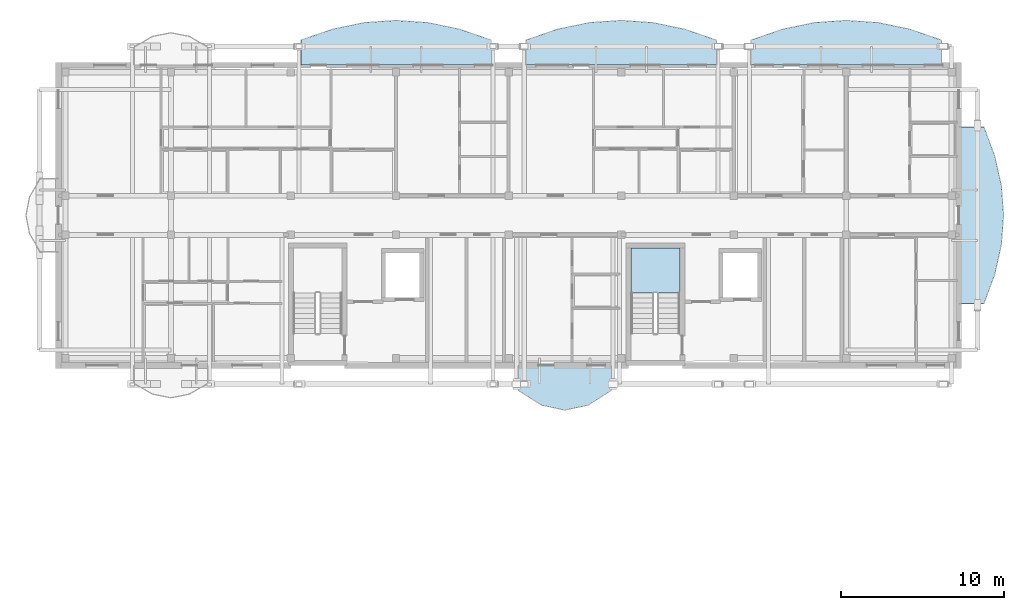
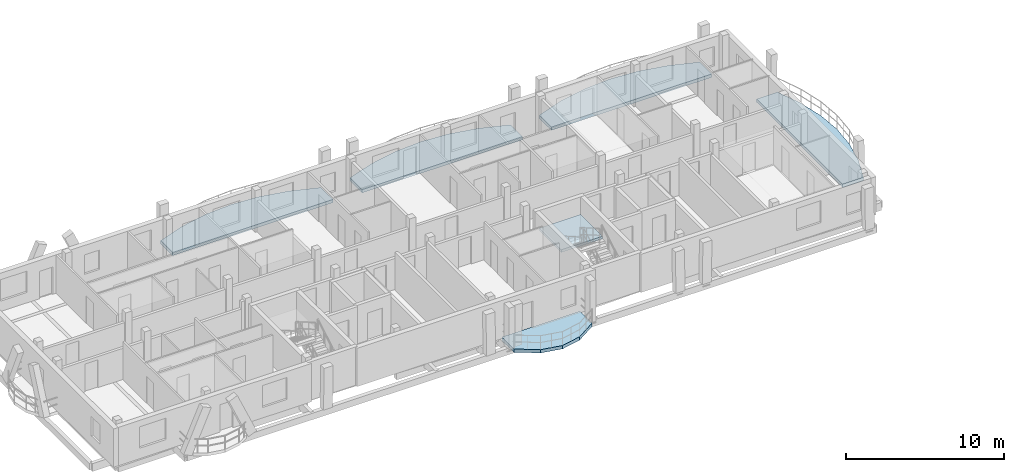
# One storey, part 9 of 48: 6 slabs, 1 element without a shape of its own.
"""IFC4 building model written with IfcOpenShell, lengths in metres."""

from ifc_helpers import new_model, si_unit, direction, frame, origin, place, context, subcontext, project, spatial, polyline, outline, extrude, material, layer, layer_set, type_object, element, aggregate, save


model = new_model("IFC4")

# Units and contexts
model_context = context("Model", 3, precision=1e-05, world=origin(), true_north=direction((0.0, 1.0)))
body_context = subcontext(model_context, "Body", "Model", "MODEL_VIEW")
ifc_project = project(units=[si_unit("LENGTHUNIT", "METRE"), si_unit("AREAUNIT", "SQUARE_METRE"), si_unit("VOLUMEUNIT", "CUBIC_METRE"), si_unit("PLANEANGLEUNIT", "RADIAN"), si_unit("MASSUNIT", "GRAM", prefix="KILO")], contexts=[model_context])

# Site, building, storey
site_placement = place(None, origin())
site = spatial("IfcSite", under=ifc_project, at=site_placement, CompositionType="ELEMENT")
building_placement = place(site_placement, origin())
building = spatial("IfcBuilding", under=site, at=building_placement, Name="Zavelmont Quarter", CompositionType="ELEMENT")
storey_placement = place(building_placement, frame((0.0, 0.0, 17.60009765625)))
storey = spatial("IfcBuildingStorey", under=building, at=storey_placement, Name="L05", CompositionType="ELEMENT", Elevation=17.60009765625)

# Slabs
ifc_material_1 = material(Name="White architectural precast concrete C40/50", Category="concrete")
ifc_layer_1 = layer(ifc_material_1, 0.235107421875)
ifc_layer_set_1 = layer_set([ifc_layer_1], Name="White architectural precast concrete C40/50")
slab_type_1 = type_object("IfcSlabType", Name="SL-BL180", PredefinedType="FLOOR", material=ifc_layer_set_1)
slab_1_placement = place(storey_placement, frame((0.0, 0.0, -0.235107421875)))
element("IfcSlab", 1, at=slab_1_placement, inside=storey, type_object=slab_type_1, Name="L05 Block C street vase 3 balcony SL-BL180", PredefinedType="FLOOR", context=body_context, shape_type="SweptSolid", body=[
    extrude(outline(polyline([(153.14111328125, 116.02001953125), (153.14111328125, 117.538330078125), (151.194091796875, 118.209716796875), (149.2470703125, 118.61279296875), (147.300048828125, 118.7470703125), (145.352783203125, 118.61279296875), (143.406005859375, 118.209716796875), (141.458740234375, 117.538330078125), (141.458740234375, 116.02001953125), (153.14111328125, 116.02001953125)])), origin(), (0.0, 0.0, 1.0), 0.235107421875),
])
ifc_layer_2 = layer(ifc_material_1, 0.2451171875)
ifc_layer_set_2 = layer_set([ifc_layer_2], Name="White architectural precast concrete C40/50")
slab_type_2 = type_object("IfcSlabType", Name="SL-BL200", PredefinedType="FLOOR", material=ifc_layer_set_2)
slab_2_placement = place(storey_placement, frame((0.0, 0.0, -0.2451171875)))
element("IfcSlab", 2, at=slab_2_placement, inside=storey, type_object=slab_type_2, Name="L05 Block C street vase 2 balcony SL-BL200", PredefinedType="FLOOR", context=body_context, shape_type="SweptSolid", body=[
    extrude(outline(polyline([(139.34130859375, 116.02001953125), (139.34130859375, 117.538330078125), (137.39404296875, 118.209716796875), (135.447021484375, 118.61279296875), (133.5, 118.7470703125), (131.552978515625, 118.61279296875), (129.60595703125, 118.209716796875), (127.65869140625, 117.538330078125), (127.65869140625, 116.02001953125), (139.34130859375, 116.02001953125)])), origin(), (0.0, 0.0, 1.0), 0.2451171875),
])
slab_3_placement = place(storey_placement, frame((0.0, 0.0, -0.2451171875)))
element("IfcSlab", 3, at=slab_3_placement, inside=storey, type_object=slab_type_2, Name="L05 Block C boulevard vase balcony SL-BL200", PredefinedType="FLOOR", context=body_context, shape_type="SweptSolid", body=[
    extrude(outline(polyline([(168.02001953125, 101.376708984375), (169.538330078125, 101.376708984375), (170.209716796875, 103.1845703125), (170.61279296875, 104.9921875), (170.7470703125, 106.800048828125), (170.61279296875, 108.60791015625), (170.209716796875, 110.41552734375), (169.538330078125, 112.223388671875), (168.02001953125, 112.223388671875), (168.02001953125, 101.376708984375)])), origin(), (0.0, 0.0, 1.0), 0.2451171875),
])
ifc_layer_3 = layer(ifc_material_1, 0.2548828125)
ifc_layer_set_3 = layer_set([ifc_layer_3], Name="White architectural precast concrete C40/50")
slab_type_3 = type_object("IfcSlabType", Name="SL-BL220", PredefinedType="FLOOR", material=ifc_layer_set_3)
slab_4_placement = place(storey_placement, frame((0.0, 0.0, -0.255126953125)))
element("IfcSlab", 4, at=slab_4_placement, inside=storey, type_object=slab_type_3, Name="L05 Block C street vase 4 balcony SL-BL220", PredefinedType="FLOOR", context=body_context, shape_type="SweptSolid", body=[
    extrude(outline(polyline([(166.941162109375, 116.02001953125), (166.941162109375, 117.538330078125), (164.994140625, 118.209716796875), (163.047119140625, 118.61279296875), (161.10009765625, 118.7470703125), (159.15283203125, 118.61279296875), (157.205810546875, 118.209716796875), (155.2587890625, 117.538330078125), (155.2587890625, 116.02001953125), (166.941162109375, 116.02001953125)])), origin(), (0.0, 0.0, 1.0), 0.255126953125),
])
slab_5_placement = place(storey_placement, frame((0.0, 0.0, -0.255126953125)))
element("IfcSlab", 5, at=slab_5_placement, inside=storey, type_object=slab_type_3, Name="L05 Block C courtyard central vase balcony SL-BL220", PredefinedType="FLOOR", context=body_context, shape_type="SweptSolid", body=[
    extrude(outline(polyline([(141.0, 97.580078125), (141.0, 96.061767578125), (142.425048828125, 95.1552734375), (143.85009765625, 94.85302734375), (145.27490234375, 95.1552734375), (146.699951171875, 96.061767578125), (146.699951171875, 97.580078125), (141.0, 97.580078125)])), origin(), (0.0, 0.0, 1.0), 0.255126953125),
])

# Stair, slab
ifc_material_2 = material(Name="Concrete C35/45", Category="concrete")
stair_type = type_object("IfcStairType", Name="STR-1400-1778", PredefinedType="HALF_TURN_STAIR", material=ifc_material_2)
stair_placement = place(storey_placement, origin())
stair = element("IfcStair", 6, at=stair_placement, inside=storey, type_object=stair_type, Name="L05 protected stair ST06", PredefinedType="HALF_TURN_STAIR")
ifc_layer_4 = layer(ifc_material_2, 0.199951171875)
ifc_layer_set_4 = layer_set([ifc_layer_4], Name="Concrete C35/45")
slab_type_4 = type_object("IfcSlabType", Name="SL-LND200", PredefinedType="LANDING", material=ifc_layer_set_4)
slab_6_placement = place(storey_placement, frame((0.0, 0.0, 1.39990234375)))
slab_6 = element("IfcSlab", 7, at=slab_6_placement, type_object=slab_type_4, Name="ST06 landing 1", PredefinedType="LANDING", context=body_context, shape_type="SweptSolid", body=[
    extrude(outline(polyline([(150.89990234375, 102.030029296875), (150.89990234375, 104.800048828125), (147.89990234375, 104.800048828125), (147.89990234375, 102.030029296875), (150.89990234375, 102.030029296875)])), origin(), (0.0, 0.0, 1.0), 0.199951171875),
])
aggregate(stair, [slab_6])

save(model, "model.ifc")
